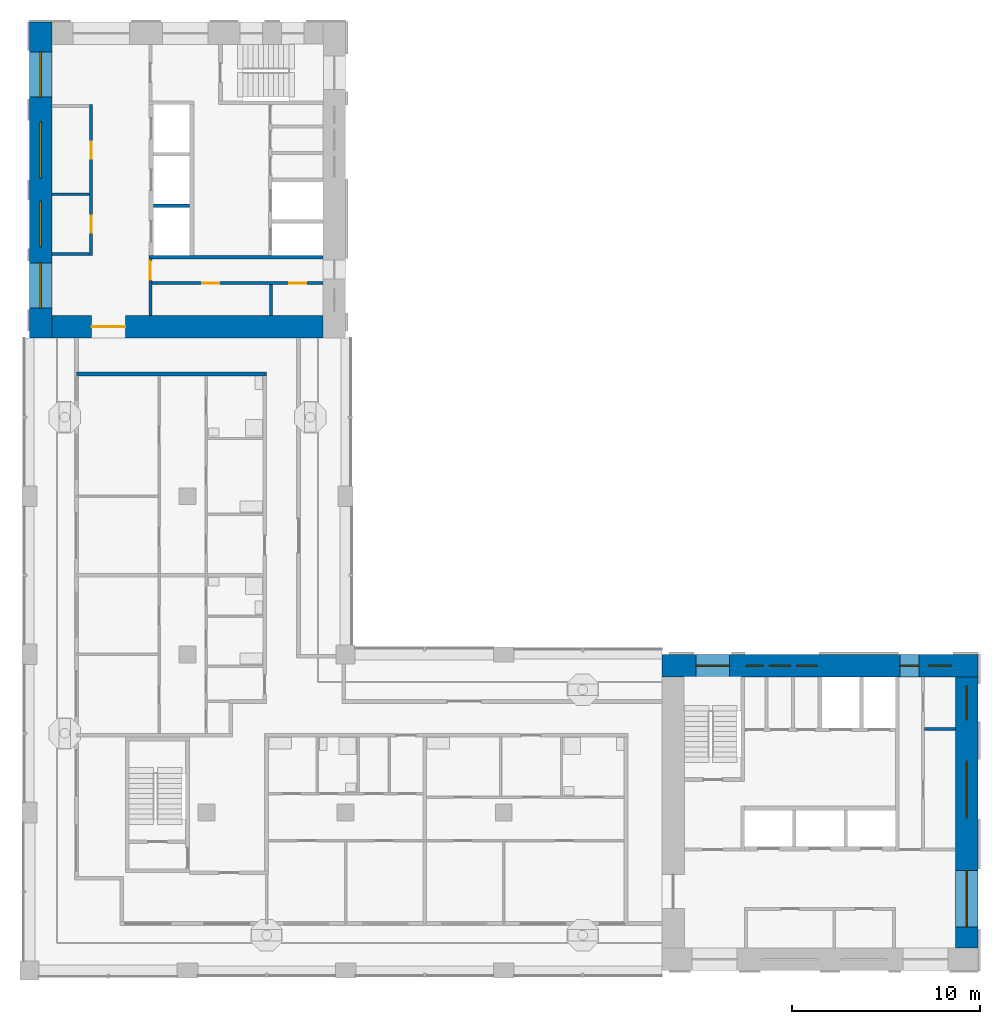
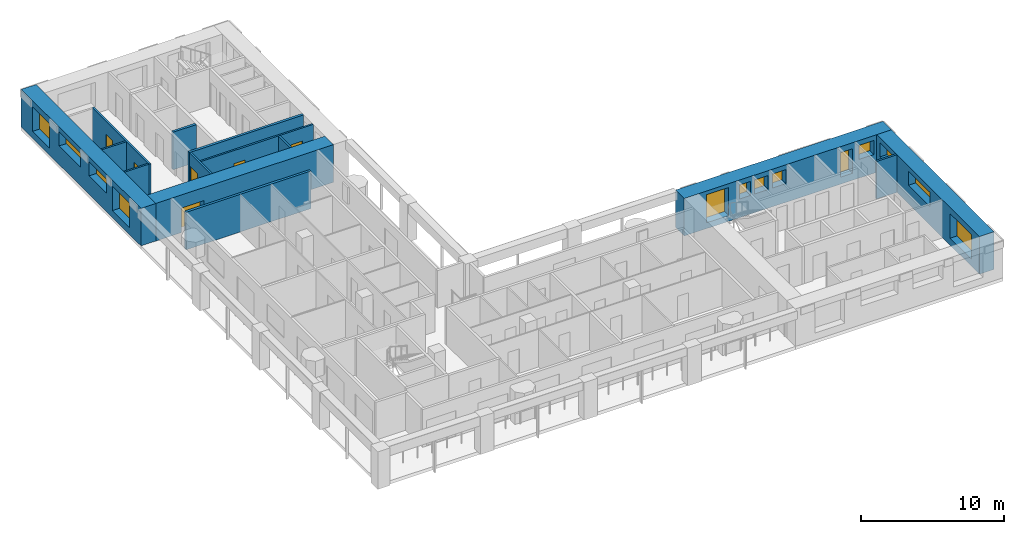
# One storey, part 5 of 12: 14 walls, 13 windows, 6 doors, 19 openings.
"""IFC4 building model written with IfcOpenShell, lengths in metres."""

from ifc_helpers import new_model, si_unit, direction, frame, frame_2d, origin, place, context, subcontext, project, spatial, rectangle, extrude, material, layer, layer_set, type_object, element, fill, save


model = new_model("IFC4")

# Units and contexts
model_context = context("Model", 3, precision=1e-05, world=origin(), true_north=direction((0.0, 1.0)))
body_context = subcontext(model_context, "Body", "Model", "MODEL_VIEW")
ifc_project = project(units=[si_unit("LENGTHUNIT", "METRE"), si_unit("AREAUNIT", "SQUARE_METRE"), si_unit("VOLUMEUNIT", "CUBIC_METRE"), si_unit("PLANEANGLEUNIT", "RADIAN"), si_unit("MASSUNIT", "GRAM", prefix="KILO")], contexts=[model_context])

# Site, building, storey
site_placement = place(None, origin())
site = spatial("IfcSite", under=ifc_project, at=site_placement, CompositionType="ELEMENT")
building_placement = place(site_placement, origin())
building = spatial("IfcBuilding", under=site, at=building_placement, Name="Vermilion Gate Residences", CompositionType="ELEMENT")
storey_placement = place(building_placement, frame((0.0, 0.0, 221.199951171875)))
storey = spatial("IfcBuildingStorey", under=building, at=storey_placement, Name="L57", CompositionType="ELEMENT", Elevation=221.199951171875)

# Walls
ifc_material_1 = material(Name="Masonry blockwork", Category="masonry")
ifc_layer_1 = layer(ifc_material_1, 0.14990234375)
ifc_layer_set_1 = layer_set([ifc_layer_1], Name="BLOCKWORK PARTITION 150 EI 120")
wall_type_1 = type_object("IfcWallType", Name="BLOCKWORK PARTITION 150 EI 120", PredefinedType="PARTITIONING", material=ifc_layer_set_1)
wall_1_placement = place(storey_placement, frame((55.949951171875, 21.239990234375, 0.0), z_axis=(0.0, 0.0, 1.0), x_axis=(1.0, 0.0, 0.0)))
element("IfcWall", 1, at=wall_1_placement, inside=storey, type_object=wall_type_1, Name="Core room partition A57-ES-P0", PredefinedType="PARTITIONING", context=body_context, shape_type="SweptSolid", body=[
    extrude(rectangle(XDim=1.650146484375, YDim=0.14990234375, at=frame_2d((0.8251953125, 0.0))), origin(), (0.0, 0.0, 1.0), 3.219970703125),
])
for number, where, z_axis, x_axis, name in (
    (2, (9.60009765625, 46.47509765625, 0.0), (0.0, 0.0, 1.0), (1.0, 0.0, 0.0), "Core room partition B57-RW-E"),
    (3, (9.60009765625, 49.64501953125, 0.0), (0.0, 0.0, 1.0), (1.0, 0.0, 0.0), "Core room partition B57-SR-P0"),
):
    element("IfcWall", number, at=place(storey_placement, frame(where, z_axis=z_axis, x_axis=x_axis)), inside=storey, type_object=wall_type_1, Name=name, PredefinedType="PARTITIONING", context=body_context, shape_type="SweptSolid", body=[
        extrude(rectangle(XDim=2.0, YDim=0.14990234375, at=frame_2d((1.0, 0.0))), origin(), (0.0, 0.0, 1.0), 3.219970703125),
    ])

# Wall, openings, doors
wall_2_placement = place(storey_placement, frame((11.675048828125, 54.39990234375, 0.0), z_axis=(0.0, 0.0, 1.0), x_axis=(0.0, -1.0, 0.0)))
wall_2 = element("IfcWall", 4, at=wall_2_placement, inside=storey, type_object=wall_type_1, Name="Core room partition B57-LR-F", PredefinedType="PARTITIONING", context=body_context, shape_type="SweptSolid", body=[
    extrude(rectangle(XDim=8.0, YDim=0.14990234375, at=frame_2d((4.0, 0.0))), origin(), (0.0, 0.0, 1.0), 3.219970703125),
])
opening_1_placement = place(wall_2_placement, frame((1.965087890625, 0.0, 0.0)))
opening_1 = element("IfcOpeningElement", 5, at=opening_1_placement, cuts=wall_2, Name="Opening DK57102", PredefinedType="OPENING", context=body_context, shape_type="SweptSolid", body=[
    extrude(rectangle(XDim=0.89990234375, YDim=2.10009765625, at=frame_2d((0.449951171875, 1.050048828125))), frame((0.0, 0.0849609375, 0.0), z_axis=(0.0, -1.0, 0.0), x_axis=(1.0, 0.0, 0.0)), (0.0, 0.0, 1.0), 0.169921875),
])
opening_2_placement = place(wall_2_placement, frame((5.889892578125, 0.0, 0.0)))
opening_2 = element("IfcOpeningElement", 6, at=opening_2_placement, cuts=wall_2, Name="Opening DK57103", PredefinedType="OPENING", context=body_context, shape_type="SweptSolid", body=[
    extrude(rectangle(XDim=0.89990234375, YDim=2.10009765625, at=frame_2d((0.449951171875, 1.050048828125))), frame((0.0, 0.0849609375, 0.0), z_axis=(0.0, -1.0, 0.0), x_axis=(1.0, 0.0, 0.0)), (0.0, 0.0, 1.0), 0.169921875),
])
ifc_material_2 = material(Name="Steel", Category="steel")
door_type_1 = type_object("IfcDoorType", Name="SERVICE ROOM DOOR FD60 900 X 2100", OperationType="SINGLE_SWING_LEFT", PredefinedType="DOOR", material=ifc_material_2)
door_1_placement = place(opening_1_placement, frame((0.89990234375, 0.0, 0.0), z_axis=(0.0, 0.0, 1.0), x_axis=(-1.0, 0.0, 0.0)))
door_1 = element("IfcDoor", 7, at=door_1_placement, inside=storey, type_object=door_type_1, Name="Housekeeping store B57", OperationType="SINGLE_SWING_LEFT", OverallHeight=2.10009765625, OverallWidth=0.89990234375, PredefinedType="DOOR", context=body_context, shape_type="SweptSolid", body=[
    extrude(rectangle(XDim=0.89990234375, YDim=2.10009765625, at=frame_2d((0.449951171875, 1.050048828125))), frame((0.0, 0.02490234375, 0.0), z_axis=(0.0, -1.0, 0.0), x_axis=(1.0, 0.0, 0.0)), (0.0, 0.0, 1.0), 0.050048828125),
])
fill(opening_1, door_1)
door_2_placement = place(opening_2_placement, frame((0.89990234375, 0.0, 0.0), z_axis=(0.0, 0.0, 1.0), x_axis=(-1.0, 0.0, 0.0)))
door_2 = element("IfcDoor", 8, at=door_2_placement, inside=storey, type_object=door_type_1, Name="Fire equipment store B57", OperationType="SINGLE_SWING_LEFT", OverallHeight=2.10009765625, OverallWidth=0.89990234375, PredefinedType="DOOR", context=body_context, shape_type="SweptSolid", body=[
    extrude(rectangle(XDim=0.89990234375, YDim=2.10009765625, at=frame_2d((0.449951171875, 1.050048828125))), frame((0.0, 0.02490234375, 0.0), z_axis=(0.0, -1.0, 0.0), x_axis=(1.0, 0.0, 0.0)), (0.0, 0.0, 1.0), 0.050048828125),
])
fill(opening_2, door_2)

# Wall, opening, door
wall_3_placement = place(storey_placement, frame((14.824951171875, 46.199951171875, 0.0), z_axis=(0.0, 0.0, 1.0), x_axis=(0.0, -1.0, 0.0)))
wall_3 = element("IfcWall", 9, at=wall_3_placement, inside=storey, type_object=wall_type_1, Name="Core room partition B57-ES-S", PredefinedType="PARTITIONING", context=body_context, shape_type="SweptSolid", body=[
    extrude(rectangle(XDim=3.0, YDim=0.14990234375, at=frame_2d((1.5, 0.0))), origin(), (0.0, 0.0, 1.0), 3.219970703125),
])
opening_3_placement = place(wall_3_placement, frame((0.10009765625, 0.0, 0.0)))
opening_3 = element("IfcOpeningElement", 10, at=opening_3_placement, cuts=wall_3, Name="Opening DK57114", PredefinedType="OPENING", context=body_context, shape_type="SweptSolid", body=[
    extrude(rectangle(XDim=1.0, YDim=2.10009765625, at=frame_2d((0.5, 1.050048828125))), frame((0.0, 0.0849609375, 0.0), z_axis=(0.0, -1.0, 0.0), x_axis=(1.0, 0.0, 0.0)), (0.0, 0.0, 1.0), 0.169921875),
])
ifc_material_3 = material(Name="Steel", Category="steel")
door_type_2 = type_object("IfcDoorType", Name="FIRE DOOR FD60 1000 X 2100", OperationType="SINGLE_SWING_LEFT", PredefinedType="DOOR", material=ifc_material_3)
door_3_placement = place(opening_3_placement, frame((1.0, 0.0, 0.0), z_axis=(0.0, 0.0, 1.0), x_axis=(-1.0, 0.0, 0.0)))
door_3 = element("IfcDoor", 11, at=door_3_placement, inside=storey, type_object=door_type_2, Name="Service corridor door B57", OperationType="SINGLE_SWING_LEFT", OverallHeight=2.10009765625, OverallWidth=1.0, PredefinedType="DOOR", context=body_context, shape_type="SweptSolid", body=[
    extrude(rectangle(XDim=1.0, YDim=2.10009765625, at=frame_2d((0.5, 1.050048828125))), frame((0.0, 0.02490234375, 0.0), z_axis=(0.0, -1.0, 0.0), x_axis=(1.0, 0.0, 0.0)), (0.0, 0.0, 1.0), 0.050048828125),
])
fill(opening_3, door_3)

# Wall
wall_4_placement = place(storey_placement, frame((21.239990234375, 44.85009765625, 0.0), z_axis=(0.0, 0.0, 1.0), x_axis=(0.0, -1.0, 0.0)))
element("IfcWall", 12, at=wall_4_placement, inside=storey, type_object=wall_type_1, Name="Core room partition B57-ES-P0", PredefinedType="PARTITIONING", context=body_context, shape_type="SweptSolid", body=[
    extrude(rectangle(XDim=1.650146484375, YDim=0.14990234375, at=frame_2d((0.8251953125, 0.0))), origin(), (0.0, 0.0, 1.0), 3.219970703125),
])

# Wall, openings, doors
wall_5_placement = place(storey_placement, frame((14.89990234375, 44.925048828125, 0.0), z_axis=(0.0, 0.0, 1.0), x_axis=(1.0, 0.0, 0.0)))
wall_5 = element("IfcWall", 13, at=wall_5_placement, inside=storey, type_object=wall_type_1, Name="Core room partition B57-ES-W", PredefinedType="PARTITIONING", context=body_context, shape_type="SweptSolid", body=[
    extrude(rectangle(XDim=9.10009765625, YDim=0.14990234375, at=frame_2d((4.550048828125, 0.0))), origin(), (0.0, 0.0, 1.0), 3.219970703125),
])
opening_4_placement = place(wall_5_placement, frame((2.6826171875, 0.0, 0.0)))
opening_4 = element("IfcOpeningElement", 14, at=opening_4_placement, cuts=wall_5, Name="Opening DK57115", PredefinedType="OPENING", context=body_context, shape_type="SweptSolid", body=[
    extrude(rectangle(XDim=0.89990234375, YDim=2.10009765625, at=frame_2d((0.449951171875, 1.050048828125))), frame((0.0, 0.0849609375, 0.0), z_axis=(0.0, -1.0, 0.0), x_axis=(1.0, 0.0, 0.0)), (0.0, 0.0, 1.0), 0.169921875),
])
opening_5_placement = place(wall_5_placement, frame((7.3076171875, 0.0, 0.0)))
opening_5 = element("IfcOpeningElement", 15, at=opening_5_placement, cuts=wall_5, Name="Opening DK57116", PredefinedType="OPENING", context=body_context, shape_type="SweptSolid", body=[
    extrude(rectangle(XDim=0.89990234375, YDim=2.10009765625, at=frame_2d((0.449951171875, 1.050048828125))), frame((0.0, 0.0849609375, 0.0), z_axis=(0.0, -1.0, 0.0), x_axis=(1.0, 0.0, 0.0)), (0.0, 0.0, 1.0), 0.169921875),
])
door_4_placement = place(opening_4_placement, frame((0.89990234375, 0.0, 0.0), z_axis=(0.0, 0.0, 1.0), x_axis=(-1.0, 0.0, 0.0)))
door_4 = element("IfcDoor", 16, at=door_4_placement, inside=storey, type_object=door_type_1, Name="Electrical room B57", OperationType="SINGLE_SWING_LEFT", OverallHeight=2.10009765625, OverallWidth=0.89990234375, PredefinedType="DOOR", context=body_context, shape_type="SweptSolid", body=[
    extrude(rectangle(XDim=0.89990234375, YDim=2.10009765625, at=frame_2d((0.449951171875, 1.050048828125))), frame((0.0, 0.02490234375, 0.0), z_axis=(0.0, -1.0, 0.0), x_axis=(1.0, 0.0, 0.0)), (0.0, 0.0, 1.0), 0.050048828125),
])
fill(opening_4, door_4)
door_5_placement = place(opening_5_placement, frame((0.89990234375, 0.0, 0.0), z_axis=(0.0, 0.0, 1.0), x_axis=(-1.0, 0.0, 0.0)))
door_5 = element("IfcDoor", 17, at=door_5_placement, inside=storey, type_object=door_type_1, Name="Storage room B57", OperationType="SINGLE_SWING_LEFT", OverallHeight=2.10009765625, OverallWidth=0.89990234375, PredefinedType="DOOR", context=body_context, shape_type="SweptSolid", body=[
    extrude(rectangle(XDim=0.89990234375, YDim=2.10009765625, at=frame_2d((0.449951171875, 1.050048828125))), frame((0.0, 0.02490234375, 0.0), z_axis=(0.0, -1.0, 0.0), x_axis=(1.0, 0.0, 0.0)), (0.0, 0.0, 1.0), 0.050048828125),
])
fill(opening_5, door_5)

# Walls
ifc_material_4 = material(Name="Fire-rated plasterboard on steel studs", Category="steel")
ifc_layer_2 = layer(ifc_material_4, 0.199951171875)
ifc_layer_set_2 = layer_set([ifc_layer_2], Name="PARTY WALL 200 EI 120")
wall_type_2 = type_object("IfcWallType", Name="PARTY WALL 200 EI 120", PredefinedType="PARTITIONING", material=ifc_layer_set_2)
wall_6_placement = place(storey_placement, frame((10.89990234375, 40.10009765625, 0.0), z_axis=(0.0, 0.0, 1.0), x_axis=(1.0, 0.0, 0.0)))
element("IfcWall", 18, at=wall_6_placement, inside=storey, type_object=wall_type_2, Name="Party and corridor wall", PredefinedType="PARTITIONING", context=body_context, shape_type="SweptSolid", body=[
    extrude(rectangle(XDim=10.10009765625, YDim=0.199951171875, at=frame_2d((5.050048828125, 0.0))), origin(), (0.0, 0.0, 1.0), 3.219970703125),
])
ifc_material_5 = material(Name="Concrete C60", Category="concrete")
ifc_layer_3 = layer(ifc_material_5, 0.199951171875)
ifc_layer_set_3 = layer_set([ifc_layer_3], Name="RC CORE INTERNAL WALL 200 C60")
wall_type_3 = type_object("IfcWallType", Name="RC CORE INTERNAL WALL 200 C60", PredefinedType="SHEAR", material=ifc_layer_set_3)
wall_7_placement = place(storey_placement, frame((15.0, 49.033447265625, 0.0), z_axis=(0.0, 0.0, 1.0), x_axis=(1.0, 0.0, 0.0)))
element("IfcWall", 19, at=wall_7_placement, inside=storey, type_object=wall_type_3, Name="Core internal wall B57-HR-D2", PredefinedType="SHEAR", context=body_context, shape_type="SweptSolid", body=[
    extrude(rectangle(XDim=1.89990234375, YDim=0.199951171875, at=frame_2d((0.949951171875, 0.0))), origin(), (0.0, 0.0, 1.0), 3.219970703125),
])
wall_8_placement = place(storey_placement, frame((14.75, 46.300048828125, 0.0), z_axis=(0.0, 0.0, 1.0), x_axis=(1.0, 0.0, 0.0)))
element("IfcWall", 20, at=wall_8_placement, inside=storey, type_object=wall_type_3, Name="Core internal wall B57-EDIV", PredefinedType="SHEAR", context=body_context, shape_type="SweptSolid", body=[
    extrude(rectangle(XDim=9.25, YDim=0.199951171875, at=frame_2d((4.625, 0.0))), origin(), (0.0, 0.0, 1.0), 3.219970703125),
])

# Wall, opening, door
ifc_material_6 = material(Name="Concrete C50", Category="concrete")
ifc_layer_4 = layer(ifc_material_6, 1.199951171875)
ifc_layer_set_4 = layer_set([ifc_layer_4], Name="RC CORE WALL 1200 C50")
wall_type_4 = type_object("IfcWallType", Name="RC CORE WALL 1200 C50", PredefinedType="SHEAR", material=ifc_layer_set_4)
wall_9_placement = place(storey_placement, frame((9.60009765625, 42.60009765625, 0.0), z_axis=(0.0, 0.0, 1.0), x_axis=(1.0, 0.0, 0.0)))
wall_9 = element("IfcWall", 21, at=wall_9_placement, inside=storey, type_object=wall_type_4, Name="Core wall B57-OUT-BK", PredefinedType="SHEAR", context=body_context, shape_type="SweptSolid", body=[
    extrude(rectangle(XDim=14.39990234375, YDim=1.199951171875, at=frame_2d((7.199951171875, 0.0))), origin(), (0.0, 0.0, 1.0), 3.219970703125),
])
opening_6_placement = place(wall_9_placement, frame((2.10009765625, 0.0, 0.0)))
opening_6 = element("IfcOpeningElement", 22, at=opening_6_placement, cuts=wall_9, Name="Opening DK57101", PredefinedType="OPENING", context=body_context, shape_type="SweptSolid", body=[
    extrude(rectangle(XDim=1.800048828125, YDim=2.10009765625, at=frame_2d((0.89990234375, 1.050048828125))), frame((0.0, 0.60986328125, 0.0), z_axis=(0.0, -1.0, 0.0), x_axis=(1.0, 0.0, 0.0)), (0.0, 0.0, 1.0), 1.219970703125),
])
ifc_material_7 = material(Name="Steel", Category="steel")
door_type_3 = type_object("IfcDoorType", Name="CORE LOBBY DOOR FD60 1800 X 2100", OperationType="DOUBLE_DOOR_SINGLE_SWING", PredefinedType="DOOR", material=ifc_material_7)
door_6_placement = place(opening_6_placement, frame((1.800048828125, 0.0, 0.0), z_axis=(0.0, 0.0, 1.0), x_axis=(-1.0, 0.0, 0.0)))
door_6 = element("IfcDoor", 23, at=door_6_placement, inside=storey, type_object=door_type_3, Name="Core lobby door B57", OperationType="DOUBLE_DOOR_SINGLE_SWING", OverallHeight=2.10009765625, OverallWidth=1.800048828125, PredefinedType="DOOR", context=body_context, shape_type="SweptSolid", body=[
    extrude(rectangle(XDim=1.800048828125, YDim=2.10009765625, at=frame_2d((0.89990234375, 1.050048828125))), frame((0.0, 0.02490234375, 0.0), z_axis=(0.0, -1.0, 0.0), x_axis=(1.0, 0.0, 0.0)), (0.0, 0.0, 1.0), 0.050048828125),
])
fill(opening_6, door_6)

# Wall, openings, windows
ifc_material_8 = material(Name="Concrete C50 red-oxide pigmented", Category="concrete")
ifc_layer_5 = layer(ifc_material_8, 1.199951171875)
ifc_layer_set_5 = layer_set([ifc_layer_5], Name="RC CORE WALL 1200 C50 RED OXIDE")
wall_type_5 = type_object("IfcWallType", Name="RC CORE WALL 1200 C50 RED OXIDE", PredefinedType="SHEAR", material=ifc_layer_set_5)
wall_10_placement = place(storey_placement, frame((42.0, 24.60009765625, 0.0), z_axis=(0.0, 0.0, 1.0), x_axis=(1.0, 0.0, 0.0)))
wall_10 = element("IfcWall", 24, at=wall_10_placement, inside=storey, type_object=wall_type_5, Name="Core wall A57-OUT-B1", PredefinedType="SHEAR", context=body_context, shape_type="SweptSolid", body=[
    extrude(rectangle(XDim=16.800048828125, YDim=1.199951171875, at=frame_2d((8.39990234375, 0.0))), origin(), (0.0, 0.0, 1.0), 3.219970703125),
])
opening_7_placement = place(wall_10_placement, frame((1.800048828125, 0.0, 0.5)))
opening_7 = element("IfcOpeningElement", 25, at=opening_7_placement, cuts=wall_10, Name="Opening WKA5705", PredefinedType="OPENING", context=body_context, shape_type="SweptSolid", body=[
    extrude(rectangle(XDim=1.800048828125, YDim=2.39990234375, at=frame_2d((0.89990234375, 1.199951171875))), frame((0.0, 0.60986328125, 0.0), z_axis=(0.0, -1.0, 0.0), x_axis=(1.0, 0.0, 0.0)), (0.0, 0.0, 1.0), 1.219970703125),
])
opening_8_placement = place(wall_10_placement, frame((4.489990234375, 0.0, 1.60009765625)))
opening_8 = element("IfcOpeningElement", 26, at=opening_8_placement, cuts=wall_10, Name="Opening WKA5706", PredefinedType="OPENING", context=body_context, shape_type="SweptSolid", body=[
    extrude(rectangle(XDim=0.89990234375, YDim=1.199951171875, at=frame_2d((0.449951171875, 0.60009765625))), frame((0.0, 0.60986328125, 0.0), z_axis=(0.0, -1.0, 0.0), x_axis=(1.0, 0.0, 0.0)), (0.0, 0.0, 1.0), 1.219970703125),
])
opening_9_placement = place(wall_10_placement, frame((5.7099609375, 0.0, 1.60009765625)))
opening_9 = element("IfcOpeningElement", 27, at=opening_9_placement, cuts=wall_10, Name="Opening WKA5707", PredefinedType="OPENING", context=body_context, shape_type="SweptSolid", body=[
    extrude(rectangle(XDim=1.10009765625, YDim=1.199951171875, at=frame_2d((0.550048828125, 0.60009765625))), frame((0.0, 0.60986328125, 0.0), z_axis=(0.0, -1.0, 0.0), x_axis=(1.0, 0.0, 0.0)), (0.0, 0.0, 1.0), 1.219970703125),
])
opening_10_placement = place(wall_10_placement, frame((7.14990234375, 0.0, 1.60009765625)))
opening_10 = element("IfcOpeningElement", 28, at=opening_10_placement, cuts=wall_10, Name="Opening WKA5708", PredefinedType="OPENING", context=body_context, shape_type="SweptSolid", body=[
    extrude(rectangle(XDim=1.10009765625, YDim=1.199951171875, at=frame_2d((0.550048828125, 0.60009765625))), frame((0.0, 0.60986328125, 0.0), z_axis=(0.0, -1.0, 0.0), x_axis=(1.0, 0.0, 0.0)), (0.0, 0.0, 1.0), 1.219970703125),
])
opening_11_placement = place(wall_10_placement, frame((12.64990234375, 0.0, 0.60009765625)))
opening_11 = element("IfcOpeningElement", 29, at=opening_11_placement, cuts=wall_10, Name="Opening WKA5709", PredefinedType="OPENING", context=body_context, shape_type="SweptSolid", body=[
    extrude(rectangle(XDim=1.0, YDim=2.10009765625, at=frame_2d((0.5, 1.050048828125))), frame((0.0, 0.60986328125, 0.0), z_axis=(0.0, -1.0, 0.0), x_axis=(1.0, 0.0, 0.0)), (0.0, 0.0, 1.0), 1.219970703125),
])
opening_12_placement = place(wall_10_placement, frame((14.175048828125, 0.0, 1.60009765625)))
opening_12 = element("IfcOpeningElement", 30, at=opening_12_placement, cuts=wall_10, Name="Opening WKA5710", PredefinedType="OPENING", context=body_context, shape_type="SweptSolid", body=[
    extrude(rectangle(XDim=1.199951171875, YDim=1.199951171875, at=frame_2d((0.60009765625, 0.60009765625))), frame((0.0, 0.60986328125, 0.0), z_axis=(0.0, -1.0, 0.0), x_axis=(1.0, 0.0, 0.0)), (0.0, 0.0, 1.0), 1.219970703125),
])
ifc_material_9 = material(Name="Aluminium and clear glass", Category="aluminium")
window_type_1 = type_object("IfcWindowType", Name="CORE CORRIDOR WINDOW 1000 X 2100", PartitioningType="SINGLE_PANEL", PredefinedType="WINDOW", material=ifc_material_9)
window_1_placement = place(opening_11_placement, origin())
window_1 = element("IfcWindow", 31, at=window_1_placement, inside=storey, type_object=window_type_1, Name="Core corridor window", OverallHeight=2.10009765625, OverallWidth=1.0, PartitioningType="SINGLE_PANEL", PredefinedType="WINDOW", context=body_context, shape_type="SweptSolid", body=[
    extrude(rectangle(XDim=1.0, YDim=2.10009765625, at=frame_2d((0.5, 1.050048828125))), frame((0.0, 0.030029296875, 0.0), z_axis=(0.0, -1.0, 0.0), x_axis=(1.0, 0.0, 0.0)), (0.0, 0.0, 1.0), 0.06005859375),
])
fill(opening_11, window_1)
ifc_material_10 = material(Name="Aluminium frame with louvre blades", Category="aluminium")
window_type_2 = type_object("IfcWindowType", Name="CORE LOUVRE 1100 X 1200", PartitioningType="SINGLE_PANEL", PredefinedType="WINDOW", material=ifc_material_10)
window_2_placement = place(opening_9_placement, origin())
window_2 = element("IfcWindow", 32, at=window_2_placement, inside=storey, type_object=window_type_2, Name="Core louvre", OverallHeight=1.199951171875, OverallWidth=1.10009765625, PartitioningType="SINGLE_PANEL", PredefinedType="WINDOW", context=body_context, shape_type="SweptSolid", body=[
    extrude(rectangle(XDim=1.10009765625, YDim=1.199951171875, at=frame_2d((0.550048828125, 0.60009765625))), frame((0.0, 0.030029296875, 0.0), z_axis=(0.0, -1.0, 0.0), x_axis=(1.0, 0.0, 0.0)), (0.0, 0.0, 1.0), 0.06005859375),
])
fill(opening_9, window_2)
window_3_placement = place(opening_10_placement, origin())
window_3 = element("IfcWindow", 33, at=window_3_placement, inside=storey, type_object=window_type_2, Name="Core louvre", OverallHeight=1.199951171875, OverallWidth=1.10009765625, PartitioningType="SINGLE_PANEL", PredefinedType="WINDOW", context=body_context, shape_type="SweptSolid", body=[
    extrude(rectangle(XDim=1.10009765625, YDim=1.199951171875, at=frame_2d((0.550048828125, 0.60009765625))), frame((0.0, 0.030029296875, 0.0), z_axis=(0.0, -1.0, 0.0), x_axis=(1.0, 0.0, 0.0)), (0.0, 0.0, 1.0), 0.06005859375),
])
fill(opening_10, window_3)
ifc_material_11 = material(Name="Aluminium frame with louvre blades", Category="aluminium")
window_type_3 = type_object("IfcWindowType", Name="CORE LOUVRE 1200 X 1200", PartitioningType="SINGLE_PANEL", PredefinedType="WINDOW", material=ifc_material_11)
window_4_placement = place(opening_12_placement, origin())
window_4 = element("IfcWindow", 34, at=window_4_placement, inside=storey, type_object=window_type_3, Name="Core louvre", OverallHeight=1.199951171875, OverallWidth=1.199951171875, PartitioningType="SINGLE_PANEL", PredefinedType="WINDOW", context=body_context, shape_type="SweptSolid", body=[
    extrude(rectangle(XDim=1.199951171875, YDim=1.199951171875, at=frame_2d((0.60009765625, 0.60009765625))), frame((0.0, 0.030029296875, 0.0), z_axis=(0.0, -1.0, 0.0), x_axis=(1.0, 0.0, 0.0)), (0.0, 0.0, 1.0), 0.06005859375),
])
fill(opening_12, window_4)
ifc_material_12 = material(Name="Aluminium frame with louvre blades", Category="aluminium")
window_type_4 = type_object("IfcWindowType", Name="CORE LOUVRE 900 X 1200", PartitioningType="SINGLE_PANEL", PredefinedType="WINDOW", material=ifc_material_12)
window_5_placement = place(opening_8_placement, origin())
window_5 = element("IfcWindow", 35, at=window_5_placement, inside=storey, type_object=window_type_4, Name="Core louvre", OverallHeight=1.199951171875, OverallWidth=0.89990234375, PartitioningType="SINGLE_PANEL", PredefinedType="WINDOW", context=body_context, shape_type="SweptSolid", body=[
    extrude(rectangle(XDim=0.89990234375, YDim=1.199951171875, at=frame_2d((0.449951171875, 0.60009765625))), frame((0.0, 0.030029296875, 0.0), z_axis=(0.0, -1.0, 0.0), x_axis=(1.0, 0.0, 0.0)), (0.0, 0.0, 1.0), 0.06005859375),
])
fill(opening_8, window_5)
ifc_material_13 = material(Name="Aluminium and clear glass", Category="aluminium")
window_type_5 = type_object("IfcWindowType", Name="CORE STAIR WINDOW 1800 X 2400", PartitioningType="SINGLE_PANEL", PredefinedType="WINDOW", material=ifc_material_13)
window_6_placement = place(opening_7_placement, origin())
window_6 = element("IfcWindow", 36, at=window_6_placement, inside=storey, type_object=window_type_5, Name="Core stair window", OverallHeight=2.39990234375, OverallWidth=1.800048828125, PartitioningType="SINGLE_PANEL", PredefinedType="WINDOW", context=body_context, shape_type="SweptSolid", body=[
    extrude(rectangle(XDim=1.800048828125, YDim=2.39990234375, at=frame_2d((0.89990234375, 1.199951171875))), frame((0.0, 0.030029296875, 0.0), z_axis=(0.0, -1.0, 0.0), x_axis=(1.0, 0.0, 0.0)), (0.0, 0.0, 1.0), 0.06005859375),
])
fill(opening_7, window_6)

wall_11_placement = place(storey_placement, frame((58.199951171875, 9.60009765625, 0.0), z_axis=(0.0, 0.0, 1.0), x_axis=(0.0, 1.0, 0.0)))
wall_11 = element("IfcWall", 37, at=wall_11_placement, inside=storey, type_object=wall_type_5, Name="Core wall A57-OUT-BK", PredefinedType="SHEAR", context=body_context, shape_type="SweptSolid", body=[
    extrude(rectangle(XDim=14.39990234375, YDim=1.199951171875, at=frame_2d((7.199951171875, 0.0))), origin(), (0.0, 0.0, 1.0), 3.219970703125),
])
opening_13_placement = place(wall_11_placement, frame((1.10498046875, 0.0, 0.60009765625)))
opening_13 = element("IfcOpeningElement", 38, at=opening_13_placement, cuts=wall_11, Name="Opening WKA5711", PredefinedType="OPENING", context=body_context, shape_type="SweptSolid", body=[
    extrude(rectangle(XDim=3.0, YDim=2.10009765625, at=frame_2d((1.5, 1.050048828125))), frame((0.0, 0.60986328125, 0.0), z_axis=(0.0, -1.0, 0.0), x_axis=(1.0, 0.0, 0.0)), (0.0, 0.0, 1.0), 1.219970703125),
])
opening_14_placement = place(wall_11_placement, frame((6.9326171875, 0.0, 1.60009765625)))
opening_14 = element("IfcOpeningElement", 39, at=opening_14_placement, cuts=wall_11, Name="Opening WKA5712", PredefinedType="OPENING", context=body_context, shape_type="SweptSolid", body=[
    extrude(rectangle(XDim=3.0, YDim=1.199951171875, at=frame_2d((1.5, 0.60009765625))), frame((0.0, 0.60986328125, 0.0), z_axis=(0.0, -1.0, 0.0), x_axis=(1.0, 0.0, 0.0)), (0.0, 0.0, 1.0), 1.219970703125),
])
opening_15_placement = place(wall_11_placement, frame((12.12744140625, 0.0, 1.60009765625)))
opening_15 = element("IfcOpeningElement", 40, at=opening_15_placement, cuts=wall_11, Name="Opening WKA5713", PredefinedType="OPENING", context=body_context, shape_type="SweptSolid", body=[
    extrude(rectangle(XDim=1.800048828125, YDim=1.199951171875, at=frame_2d((0.89990234375, 0.60009765625))), frame((0.0, 0.60986328125, 0.0), z_axis=(0.0, -1.0, 0.0), x_axis=(1.0, 0.0, 0.0)), (0.0, 0.0, 1.0), 1.219970703125),
])
ifc_material_14 = material(Name="Aluminium and clear glass", Category="aluminium")
window_type_6 = type_object("IfcWindowType", Name="CORE LOBBY WINDOW 3000 X 2100", PartitioningType="SINGLE_PANEL", PredefinedType="WINDOW", material=ifc_material_14)
window_7_placement = place(opening_13_placement, origin())
window_7 = element("IfcWindow", 41, at=window_7_placement, inside=storey, type_object=window_type_6, Name="Core lobby window", OverallHeight=2.10009765625, OverallWidth=3.0, PartitioningType="SINGLE_PANEL", PredefinedType="WINDOW", context=body_context, shape_type="SweptSolid", body=[
    extrude(rectangle(XDim=3.0, YDim=2.10009765625, at=frame_2d((1.5, 1.050048828125))), frame((0.0, 0.030029296875, 0.0), z_axis=(0.0, -1.0, 0.0), x_axis=(1.0, 0.0, 0.0)), (0.0, 0.0, 1.0), 0.06005859375),
])
fill(opening_13, window_7)
ifc_material_15 = material(Name="Aluminium frame with louvre blades", Category="aluminium")
window_type_7 = type_object("IfcWindowType", Name="CORE LOUVRE 1800 X 1200", PartitioningType="SINGLE_PANEL", PredefinedType="WINDOW", material=ifc_material_15)
window_8_placement = place(opening_15_placement, origin())
window_8 = element("IfcWindow", 42, at=window_8_placement, inside=storey, type_object=window_type_7, Name="Core louvre", OverallHeight=1.199951171875, OverallWidth=1.800048828125, PartitioningType="SINGLE_PANEL", PredefinedType="WINDOW", context=body_context, shape_type="SweptSolid", body=[
    extrude(rectangle(XDim=1.800048828125, YDim=1.199951171875, at=frame_2d((0.89990234375, 0.60009765625))), frame((0.0, 0.030029296875, 0.0), z_axis=(0.0, -1.0, 0.0), x_axis=(1.0, 0.0, 0.0)), (0.0, 0.0, 1.0), 0.06005859375),
])
fill(opening_15, window_8)
ifc_material_16 = material(Name="Aluminium frame with louvre blades", Category="aluminium")
window_type_8 = type_object("IfcWindowType", Name="CORE LOUVRE 3000 X 1200", PartitioningType="SINGLE_PANEL", PredefinedType="WINDOW", material=ifc_material_16)
window_9_placement = place(opening_14_placement, origin())
window_9 = element("IfcWindow", 43, at=window_9_placement, inside=storey, type_object=window_type_8, Name="Core louvre", OverallHeight=1.199951171875, OverallWidth=3.0, PartitioningType="SINGLE_PANEL", PredefinedType="WINDOW", context=body_context, shape_type="SweptSolid", body=[
    extrude(rectangle(XDim=3.0, YDim=1.199951171875, at=frame_2d((1.5, 0.60009765625))), frame((0.0, 0.030029296875, 0.0), z_axis=(0.0, -1.0, 0.0), x_axis=(1.0, 0.0, 0.0)), (0.0, 0.0, 1.0), 0.06005859375),
])
fill(opening_14, window_9)

wall_12_placement = place(storey_placement, frame((9.0, 58.800048828125, 0.0), z_axis=(0.0, 0.0, 1.0), x_axis=(0.0, -1.0, 0.0)))
wall_12 = element("IfcWall", 44, at=wall_12_placement, inside=storey, type_object=wall_type_5, Name="Core wall B57-OUT-B0", PredefinedType="SHEAR", context=body_context, shape_type="SweptSolid", body=[
    extrude(rectangle(XDim=16.800048828125, YDim=1.199951171875, at=frame_2d((8.39990234375, 0.0))), origin(), (0.0, 0.0, 1.0), 3.219970703125),
])
opening_16_placement = place(wall_12_placement, frame((1.60009765625, 0.0, 0.60009765625)))
opening_16 = element("IfcOpeningElement", 45, at=opening_16_placement, cuts=wall_12, Name="Opening WKB5701", PredefinedType="OPENING", context=body_context, shape_type="SweptSolid", body=[
    extrude(rectangle(XDim=2.39990234375, YDim=2.10009765625, at=frame_2d((1.199951171875, 1.050048828125))), frame((0.0, 0.60986328125, 0.0), z_axis=(0.0, -1.0, 0.0), x_axis=(1.0, 0.0, 0.0)), (0.0, 0.0, 1.0), 1.219970703125),
])
opening_17_placement = place(wall_12_placement, frame((5.31494140625, 0.0, 1.60009765625)))
opening_17 = element("IfcOpeningElement", 46, at=opening_17_placement, cuts=wall_12, Name="Opening WKB5702", PredefinedType="OPENING", context=body_context, shape_type="SweptSolid", body=[
    extrude(rectangle(XDim=3.0, YDim=1.199951171875, at=frame_2d((1.5, 0.60009765625))), frame((0.0, 0.60986328125, 0.0), z_axis=(0.0, -1.0, 0.0), x_axis=(1.0, 0.0, 0.0)), (0.0, 0.0, 1.0), 1.219970703125),
])
opening_18_placement = place(wall_12_placement, frame((9.5400390625, 0.0, 1.60009765625)))
opening_18 = element("IfcOpeningElement", 47, at=opening_18_placement, cuts=wall_12, Name="Opening WKB5703", PredefinedType="OPENING", context=body_context, shape_type="SweptSolid", body=[
    extrude(rectangle(XDim=2.39990234375, YDim=1.199951171875, at=frame_2d((1.199951171875, 0.60009765625))), frame((0.0, 0.60986328125, 0.0), z_axis=(0.0, -1.0, 0.0), x_axis=(1.0, 0.0, 0.0)), (0.0, 0.0, 1.0), 1.219970703125),
])
opening_19_placement = place(wall_12_placement, frame((12.800048828125, 0.0, 0.60009765625)))
opening_19 = element("IfcOpeningElement", 48, at=opening_19_placement, cuts=wall_12, Name="Opening WKB5704", PredefinedType="OPENING", context=body_context, shape_type="SweptSolid", body=[
    extrude(rectangle(XDim=2.39990234375, YDim=2.10009765625, at=frame_2d((1.199951171875, 1.050048828125))), frame((0.0, 0.60986328125, 0.0), z_axis=(0.0, -1.0, 0.0), x_axis=(1.0, 0.0, 0.0)), (0.0, 0.0, 1.0), 1.219970703125),
])
ifc_material_17 = material(Name="Aluminium and clear glass", Category="aluminium")
window_type_9 = type_object("IfcWindowType", Name="CORE LOBBY WINDOW 2400 X 2100", PartitioningType="SINGLE_PANEL", PredefinedType="WINDOW", material=ifc_material_17)
window_10_placement = place(opening_16_placement, origin())
window_10 = element("IfcWindow", 49, at=window_10_placement, inside=storey, type_object=window_type_9, Name="Core lobby window", OverallHeight=2.10009765625, OverallWidth=2.39990234375, PartitioningType="SINGLE_PANEL", PredefinedType="WINDOW", context=body_context, shape_type="SweptSolid", body=[
    extrude(rectangle(XDim=2.39990234375, YDim=2.10009765625, at=frame_2d((1.199951171875, 1.050048828125))), frame((0.0, 0.030029296875, 0.0), z_axis=(0.0, -1.0, 0.0), x_axis=(1.0, 0.0, 0.0)), (0.0, 0.0, 1.0), 0.06005859375),
])
fill(opening_16, window_10)
window_11_placement = place(opening_19_placement, origin())
window_11 = element("IfcWindow", 50, at=window_11_placement, inside=storey, type_object=window_type_9, Name="Core lobby window", OverallHeight=2.10009765625, OverallWidth=2.39990234375, PartitioningType="SINGLE_PANEL", PredefinedType="WINDOW", context=body_context, shape_type="SweptSolid", body=[
    extrude(rectangle(XDim=2.39990234375, YDim=2.10009765625, at=frame_2d((1.199951171875, 1.050048828125))), frame((0.0, 0.030029296875, 0.0), z_axis=(0.0, -1.0, 0.0), x_axis=(1.0, 0.0, 0.0)), (0.0, 0.0, 1.0), 0.06005859375),
])
fill(opening_19, window_11)
ifc_material_18 = material(Name="Aluminium frame with louvre blades", Category="aluminium")
window_type_10 = type_object("IfcWindowType", Name="CORE LOUVRE 2400 X 1200", PartitioningType="SINGLE_PANEL", PredefinedType="WINDOW", material=ifc_material_18)
window_12_placement = place(opening_18_placement, origin())
window_12 = element("IfcWindow", 51, at=window_12_placement, inside=storey, type_object=window_type_10, Name="Core louvre", OverallHeight=1.199951171875, OverallWidth=2.39990234375, PartitioningType="SINGLE_PANEL", PredefinedType="WINDOW", context=body_context, shape_type="SweptSolid", body=[
    extrude(rectangle(XDim=2.39990234375, YDim=1.199951171875, at=frame_2d((1.199951171875, 0.60009765625))), frame((0.0, 0.030029296875, 0.0), z_axis=(0.0, -1.0, 0.0), x_axis=(1.0, 0.0, 0.0)), (0.0, 0.0, 1.0), 0.06005859375),
])
fill(opening_18, window_12)
window_13_placement = place(opening_17_placement, origin())
window_13 = element("IfcWindow", 52, at=window_13_placement, inside=storey, type_object=window_type_8, Name="Core louvre", OverallHeight=1.199951171875, OverallWidth=3.0, PartitioningType="SINGLE_PANEL", PredefinedType="WINDOW", context=body_context, shape_type="SweptSolid", body=[
    extrude(rectangle(XDim=3.0, YDim=1.199951171875, at=frame_2d((1.5, 0.60009765625))), frame((0.0, 0.030029296875, 0.0), z_axis=(0.0, -1.0, 0.0), x_axis=(1.0, 0.0, 0.0)), (0.0, 0.0, 1.0), 0.06005859375),
])
fill(opening_17, window_13)

save(model, "model.ifc")
